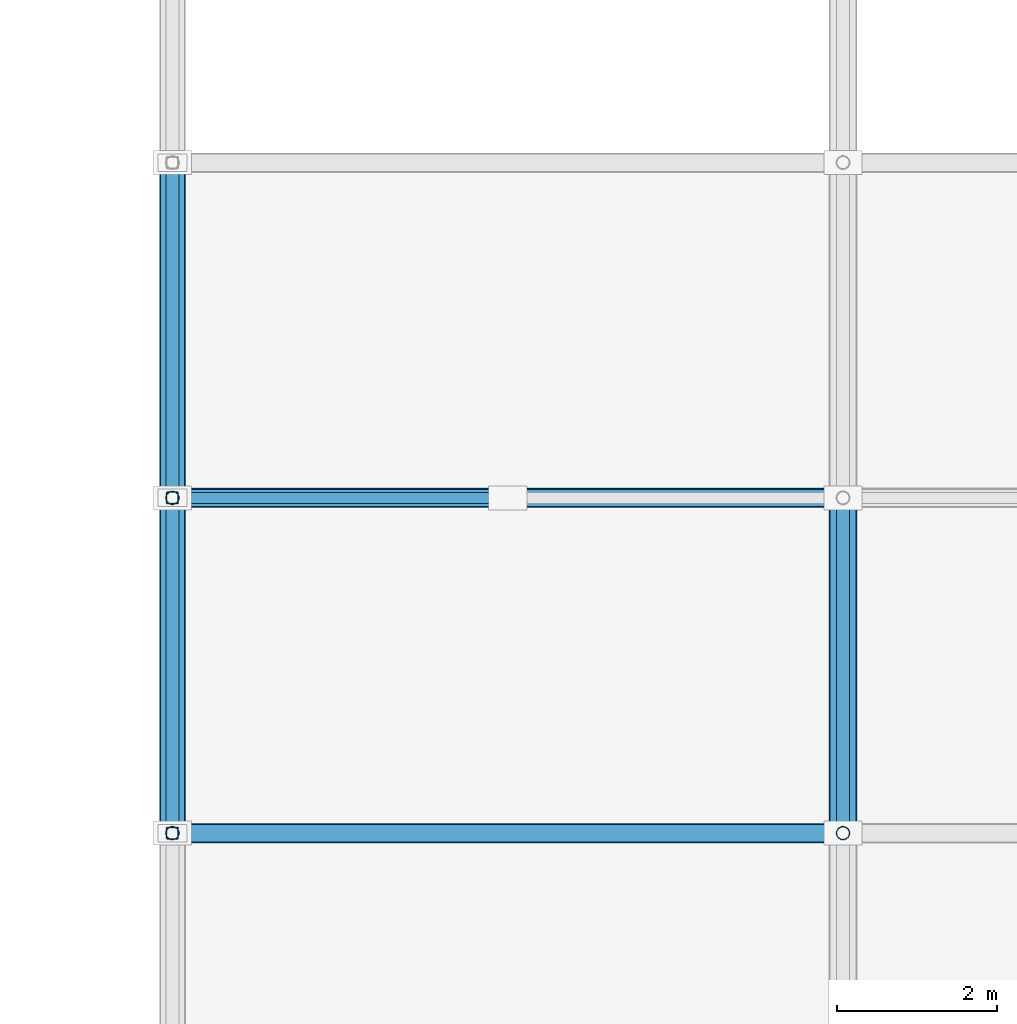
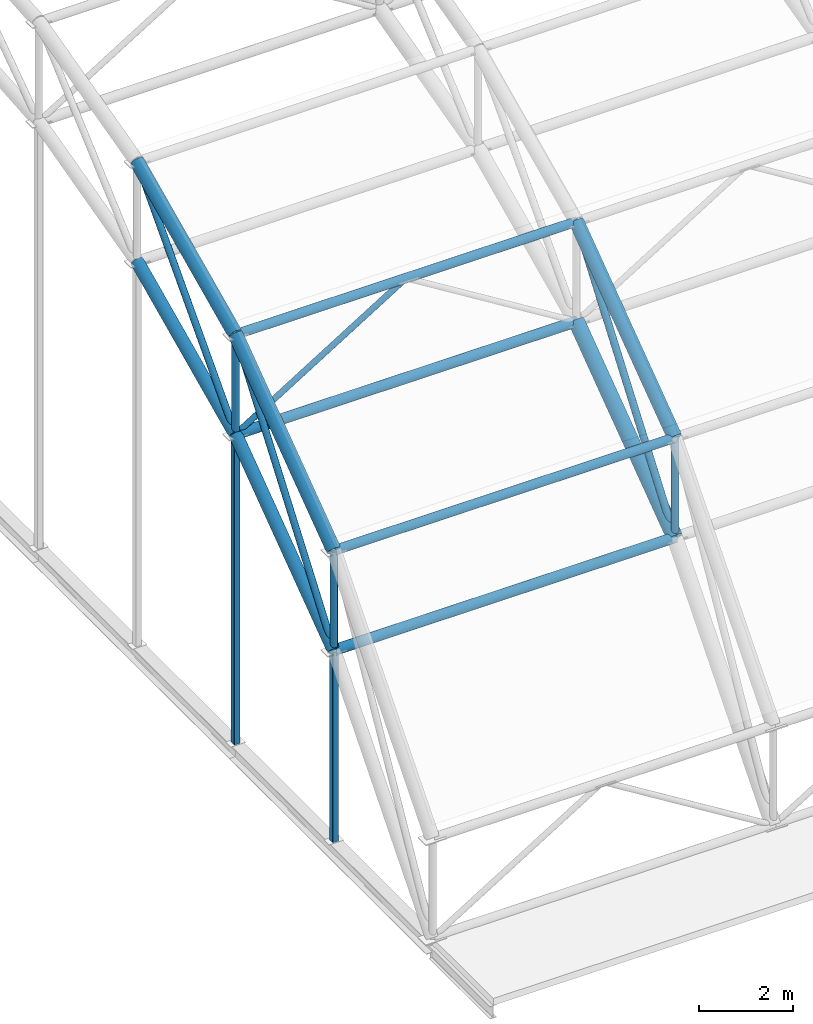
# One storey, part 8 of 103: 13 members, 6 beams.
"""IFC4 building model written with IfcOpenShell, lengths in metres."""

import ifcopenshell
import ifcopenshell.guid

model = None  # the IFC model being written
_history = None  # IfcOwnerHistory: only IFC2X3 demands one
_inside = {}  # id of a spatial element -> (the spatial element, [elements in it])
_under = {}  # id of a project, library or spatial element -> (it, [spatial elements below it])
_declared = {}  # id of a project -> (the project, [libraries it declares])
_typed = {}  # id of a type object -> (the type object, [elements of that type])
_made_of = {}  # id of a material, layer set ... -> (it, [elements and type objects made of it])


def new_model(schema):
    """Start an empty IFC model of exactly this schema.

    Asked for "IFC4X3", IfcOpenShell would pick the latest addendum, in which some entities
    have other attributes; the version numbers below select the first issue.
    IFC2X3 requires an IfcOwnerHistory on every rooted entity: one is made here for all.
    """
    global model, _history
    if schema == "IFC4X3":
        model = ifcopenshell.file(schema_version=(4, 3, 0, 0))
    else:
        model = ifcopenshell.file(schema=schema)
    _inside.clear()
    _under.clear()
    _declared.clear()
    _typed.clear()
    _made_of.clear()
    _history = None
    if model.schema == "IFC2X3":
        org = make("IfcOrganization", Name="unknown")
        user = make(
            "IfcPersonAndOrganization",
            ThePerson=make("IfcPerson", FamilyName="unknown"),
            TheOrganization=org,
        )
        app = make(
            "IfcApplication",
            ApplicationDeveloper=org,
            Version="unknown",
            ApplicationFullName="unknown",
            ApplicationIdentifier="unknown",
        )
        _history = make(
            "IfcOwnerHistory",
            OwningUser=user,
            OwningApplication=app,
            ChangeAction="ADDED",
            CreationDate=0,
        )
    return model


def make(cls, **values):
    """One entity of the class cls with the attributes given. An attribute that is None is left unset."""
    return model.create_entity(
        cls, **{name: value for name, value in values.items() if value is not None}
    )


def rooted(cls, **values):
    """An entity with a GlobalId (a new one), such as an element, a storey or a relation."""
    return make(cls, GlobalId=ifcopenshell.guid.new(), OwnerHistory=_history, **values)


def si_unit(unit_type, name, prefix=None):
    """IfcSIUnit, for example si_unit("LENGTHUNIT", "METRE", prefix="MILLI")."""
    return make("IfcSIUnit", UnitType=unit_type, Prefix=prefix, Name=name)


def assignment(units):
    """IfcUnitAssignment: the units of a project."""
    return None if units is None else make("IfcUnitAssignment", Units=units)


def point(xyz):
    """IfcCartesianPoint."""
    return None if xyz is None else make("IfcCartesianPoint", Coordinates=xyz)


def direction(xyz):
    """IfcDirection."""
    return None if xyz is None else make("IfcDirection", DirectionRatios=xyz)


def frame(location, z_axis=None, x_axis=None):
    """IfcAxis2Placement3D, a coordinate frame: its origin and axes. An axis left out is left unset."""
    return make(
        "IfcAxis2Placement3D",
        Location=point(location),
        Axis=direction(z_axis),
        RefDirection=direction(x_axis),
    )


def frame_2d(location, x_axis=None):
    """IfcAxis2Placement2D, a coordinate frame in the plane: its origin and x axis."""
    return make(
        "IfcAxis2Placement2D", Location=point(location), RefDirection=direction(x_axis)
    )


def origin():
    """The frame at (0, 0, 0) with its axes left unset."""
    return frame((0.0, 0.0, 0.0))


def origin_2d():
    """The frame at (0, 0) in the plane with its x axis left unset."""
    return frame_2d((0.0, 0.0))


def place(relative_to, where):
    """IfcLocalPlacement: puts the frame where relative to a parent placement (None: the world)."""
    return make(
        "IfcLocalPlacement", PlacementRelTo=relative_to, RelativePlacement=where
    )


def context(
    kind, dimensions, precision=None, world=None, true_north=None, identifier=None
):
    """IfcGeometricRepresentationContext, for example the 3D "Model" context."""
    return make(
        "IfcGeometricRepresentationContext",
        ContextIdentifier=identifier,
        ContextType=kind,
        CoordinateSpaceDimension=dimensions,
        Precision=precision,
        WorldCoordinateSystem=world,
        TrueNorth=true_north,
    )


def subcontext(parent, identifier, kind, view, scale=None):
    """IfcGeometricRepresentationSubContext, for example "Body" below "Model"."""
    return make(
        "IfcGeometricRepresentationSubContext",
        ContextIdentifier=identifier,
        ContextType=kind,
        ParentContext=parent,
        TargetScale=scale,
        TargetView=view,
    )


def project(units=None, contexts=None):
    """IfcProject with its units and contexts."""
    return rooted(
        "IfcProject",
        Name="project",
        RepresentationContexts=contexts,
        UnitsInContext=assignment(units),
    )


def spatial(cls, under=None, at=None, **own):
    """A site, building, storey or space (cls), placed at a placement, below another one or the project."""
    s = rooted(cls, ObjectPlacement=at, **own)
    if under is not None:
        _under.setdefault(under.id(), (under, []))[1].append(s)
    return s


def profile(cls, at=None, kind="AREA", **sizes):
    """A parametric profile (cls). Its sizes go by their IFC names, for example OverallWidth=200.0."""
    return make(cls, ProfileType=kind, Position=at, **sizes)


def hollow_rectangle(**sizes):
    """IfcRectangleHollowProfileDef."""
    return profile("IfcRectangleHollowProfileDef", **sizes)


def hollow_circle(**sizes):
    """IfcCircleHollowProfileDef."""
    return profile("IfcCircleHollowProfileDef", **sizes)


def extrude(swept, where, along, depth):
    """IfcExtrudedAreaSolid: the profile swept, set in the frame where, extruded along a direction by depth."""
    return make(
        "IfcExtrudedAreaSolid",
        SweptArea=swept,
        Position=where,
        ExtrudedDirection=direction(along),
        Depth=depth,
    )


def shape(context_of_items, identifier, shape_type, items):
    """IfcShapeRepresentation: the items that make up one representation, for example the "Body"."""
    return make(
        "IfcShapeRepresentation",
        ContextOfItems=context_of_items,
        RepresentationIdentifier=identifier,
        RepresentationType=shape_type,
        Items=items,
    )


def material(Name=None, Category=None):
    """IfcMaterial."""
    return make("IfcMaterial", Name=Name, Category=Category)


def material_profile(
    of_material, cross_section, Name=None, Category=None, Priority=None
):
    """IfcMaterialProfile: a cross section and its material."""
    return make(
        "IfcMaterialProfile",
        Name=Name,
        Material=of_material,
        Profile=cross_section,
        Priority=Priority,
        Category=Category,
    )


def profile_set(profiles, Name=None, composite=None):
    """IfcMaterialProfileSet."""
    return make(
        "IfcMaterialProfileSet",
        Name=Name,
        MaterialProfiles=profiles,
        CompositeProfile=composite,
    )


def made_of(thing, what):
    """Note that an element or type object is made of a material, layer set ...; save() writes the relation."""
    if what is not None:
        _made_of.setdefault(what.id(), (what, []))[1].append(thing)
    return thing


def type_object(cls, material=None, **own):
    """A type object (cls), such as IfcWallType, which elements share."""
    return made_of(rooted(cls, **own), material)


def element(
    cls,
    number,
    at=None,
    inside=None,
    cuts=None,
    type_object=None,
    material=None,
    context=None,
    identifier="Body",
    shape_type=None,
    held_by="IfcProductDefinitionShape",
    body=None,
    shapes=None,
    **own,
):
    """One element of the class cls, such as IfcWall. Its Tag is "e" and its number.

    at: its placement. inside: the storey or other place that contains it. cuts: it is an
    opening in that element (IfcRelVoidsElement). A single representation is given by context,
    identifier, shape_type and body (its items); several are given by shapes. held_by: the class
    of the entity that holds the representations. save() writes the other relations.
    """
    e = rooted(cls, Tag="e%d" % number, ObjectPlacement=at, **own)
    if body is not None:
        shapes = [shape(context, identifier, shape_type, body)]
    if shapes is not None:
        e.Representation = make(held_by, Representations=shapes)
    if inside is not None:
        _inside.setdefault(inside.id(), (inside, []))[1].append(e)
    if cuts is not None:
        rooted(
            "IfcRelVoidsElement", RelatingBuildingElement=cuts, RelatedOpeningElement=e
        )
    if type_object is not None:
        _typed.setdefault(type_object.id(), (type_object, []))[1].append(e)
    return made_of(e, material)


def aggregate(whole, parts):
    """IfcRelAggregates: a whole, such as a stair, and the parts it consists of."""
    return rooted("IfcRelAggregates", RelatingObject=whole, RelatedObjects=parts)


def save(model, path):
    """Write the relations noted so far, then the file.

    IfcRelAggregates (storeys below a building ...), IfcRelContainedInSpatialStructure (elements
    in a storey), IfcRelDefinesByType, IfcRelAssociatesMaterial and IfcRelDeclares: one each for
    every whole, place, type object, material and project.
    """
    for whole, parts in _under.values():
        aggregate(whole, parts)
    for where, things in _inside.values():
        rooted(
            "IfcRelContainedInSpatialStructure",
            RelatedElements=things,
            RelatingStructure=where,
        )
    for kind, things in _typed.values():
        rooted("IfcRelDefinesByType", RelatedObjects=things, RelatingType=kind)
    for what, things in _made_of.values():
        rooted("IfcRelAssociatesMaterial", RelatedObjects=things, RelatingMaterial=what)
    for by, libraries in _declared.values():
        rooted("IfcRelDeclares", RelatingContext=by, RelatedDefinitions=libraries)
    model.write(path)


model = new_model("IFC4")

# Units and contexts
model_context = context("Model", 3, precision=1e-05, world=origin(), true_north=direction((0.0, 1.0)))
body_context = subcontext(model_context, "Body", "Model", "MODEL_VIEW")
ifc_project = project(units=[si_unit("LENGTHUNIT", "METRE"), si_unit("AREAUNIT", "SQUARE_METRE"), si_unit("VOLUMEUNIT", "CUBIC_METRE"), si_unit("PLANEANGLEUNIT", "RADIAN"), si_unit("MASSUNIT", "GRAM", prefix="KILO")], contexts=[model_context])

# Site, building, storey
site_placement = place(None, origin())
site = spatial("IfcSite", under=ifc_project, at=site_placement, CompositionType="ELEMENT")
building_placement = place(site_placement, origin())
building = spatial("IfcBuilding", under=site, at=building_placement, Name="Varnapada Polytechnic", CompositionType="ELEMENT")
storey_placement = place(building_placement, frame((0.0, 0.0, 18.0)))
storey = spatial("IfcBuildingStorey", under=building, at=storey_placement, Name="L04", CompositionType="ELEMENT", Elevation=18.0)

# Members
ifc_material = material(Name="Steel S355", Category="steel")
ifc_material_profile_1 = material_profile(ifc_material, hollow_rectangle(XDim=0.14990234375, YDim=0.14990234375, WallThickness=0.00634765625, InnerFilletRadius=0.006103515625, OuterFilletRadius=0.011962890625, at=origin_2d()), Name="SHS 150x150x6.3")
ifc_profile_set_1 = profile_set([ifc_material_profile_1], Name="Steel S355")
member_type_1 = type_object("IfcMemberType", Name="Sawtooth north-light mullion post SFP-02 (SHS 150x150x6.3)", PredefinedType="POST", material=ifc_profile_set_1)
member_1_placement = place(storey_placement, frame((50.39990234375, 88.199951171875, 0.0), z_axis=(0.0, 0.0, 1.0), x_axis=(1.0, 0.0, 0.0)))
element("IfcMember", 1, at=member_1_placement, inside=storey, type_object=member_type_1, Name="Workshop arch tympanum mullion W.1", PredefinedType="POST", context=body_context, shape_type="SweptSolid", body=[
    extrude(hollow_rectangle(XDim=0.14990234375, YDim=0.14990234375, WallThickness=0.00634765625, InnerFilletRadius=0.006103515625, OuterFilletRadius=0.011962890625, at=origin_2d()), origin(), (0.0, 0.0, 1.0), 4.94921875),
])
member_2_placement = place(storey_placement, frame((50.39990234375, 92.39990234375, 0.0), z_axis=(0.0, 0.0, 1.0), x_axis=(1.0, 0.0, 0.0)))
element("IfcMember", 2, at=member_2_placement, inside=storey, type_object=member_type_1, Name="Workshop arch tympanum mullion W.2", PredefinedType="POST", context=body_context, shape_type="SweptSolid", body=[
    extrude(hollow_rectangle(XDim=0.14990234375, YDim=0.14990234375, WallThickness=0.00634765625, InnerFilletRadius=0.006103515625, OuterFilletRadius=0.011962890625, at=origin_2d()), origin(), (0.0, 0.0, 1.0), 8.02783203125),
])

# Beams
ifc_material_profile_2 = material_profile(ifc_material, hollow_circle(Radius=0.149169921875, WallThickness=0.010009765625, at=origin_2d()), Name="CHS 298.5x10.0")
ifc_profile_set_2 = profile_set([ifc_material_profile_2], Name="Steel S355")
beam_type_1 = type_object("IfcBeamType", Name="Space frame end-bay arch rib VA-04 (CHS 298.5x10.0)", PredefinedType="BEAM", material=ifc_profile_set_2)
beam_1_placement = place(storey_placement, frame((50.39990234375, 88.199951171875, 4.94921875), z_axis=(0.0, 0.806528689778, 0.591194953095), x_axis=(-1.0, 0.0, 0.0)))
element("IfcBeam", 3, at=beam_1_placement, inside=storey, type_object=beam_type_1, Name="Vaulted space frame bottom arch chord 1.2", PredefinedType="BEAM", context=body_context, shape_type="SweptSolid", body=[
    extrude(hollow_circle(Radius=0.149169921875, WallThickness=0.010009765625, at=origin_2d()), origin(), (0.0, 0.0, 1.0), 5.20751953125),
])
beam_2_placement = place(storey_placement, frame((50.39990234375, 92.39990234375, 8.02783203125), z_axis=(0.0, 0.906677989805, 0.421823449802), x_axis=(-1.0, 0.0, 0.0)))
element("IfcBeam", 4, at=beam_2_placement, inside=storey, type_object=beam_type_1, Name="Vaulted space frame bottom arch chord 1.3", PredefinedType="BEAM", context=body_context, shape_type="SweptSolid", body=[
    extrude(hollow_circle(Radius=0.149169921875, WallThickness=0.010009765625, at=origin_2d()), origin(), (0.0, 0.0, 1.0), 4.632568359375),
])

# Members
ifc_material_profile_3 = material_profile(ifc_material, hollow_circle(Radius=0.07958984375, WallThickness=0.00634765625, at=origin_2d()), Name="CHS 159.0x6.3")
ifc_profile_set_3 = profile_set([ifc_material_profile_3], Name="Steel S355")
member_type_2 = type_object("IfcMemberType", Name="Space frame perimeter web diagonal SFB-03 (CHS 159.0x6.3)", PredefinedType="BRACE", material=ifc_profile_set_3)
member_3_placement = place(storey_placement, frame((50.39990234375, 88.199951171875, 4.94921875), z_axis=(0.0, 0.594633036041, 0.803997234105), x_axis=(-1.0, 0.0, 0.0)))
element("IfcMember", 5, at=member_3_placement, inside=storey, type_object=member_type_2, Name="Vaulted space frame web diagonal 1.2", PredefinedType="BRACE", context=body_context, shape_type="SweptSolid", body=[
    extrude(hollow_circle(Radius=0.07958984375, WallThickness=0.00634765625, at=origin_2d()), origin(), (0.0, 0.0, 1.0), 7.06298828125),
])
member_4_placement = place(storey_placement, frame((50.39990234375, 92.39990234375, 8.02783203125), z_axis=(0.0, 0.677978881407, 0.735081380777), x_axis=(-1.0, 0.0, 0.0)))
element("IfcMember", 6, at=member_4_placement, inside=storey, type_object=member_type_2, Name="Vaulted space frame web diagonal 1.3", PredefinedType="BRACE", context=body_context, shape_type="SweptSolid", body=[
    extrude(hollow_circle(Radius=0.07958984375, WallThickness=0.00634765625, at=origin_2d()), origin(), (0.0, 0.0, 1.0), 6.195068359375),
])
ifc_material_profile_4 = material_profile(ifc_material, hollow_circle(Radius=0.122314453125, WallThickness=0.008056640625, at=origin_2d()), Name="CHS 244.5x8.0")
ifc_profile_set_4 = profile_set([ifc_material_profile_4], Name="Steel S355")
member_type_3 = type_object("IfcMemberType", Name="Vaulted space frame longitudinal bottom chord SFC-01 (CHS 244.5x8.0)", PredefinedType="CHORD", material=ifc_profile_set_4)
for number, where, z_axis, x_axis, name in (
    (7, (50.39990234375, 88.199951171875, 4.94921875), (1.0, 0.0, 0.0), (0.0, 1.0, 0.0), "Vaulted space frame longitudinal bottom chord 1.2"),
    (8, (50.39990234375, 92.39990234375, 8.02783203125), (1.0, 0.0, 0.0), (0.0, 1.0, 0.0), "Vaulted space frame longitudinal bottom chord 1.3"),
):
    element("IfcMember", number, at=place(storey_placement, frame(where, z_axis=z_axis, x_axis=x_axis)), inside=storey, type_object=member_type_3, Name=name, PredefinedType="CHORD", context=body_context, shape_type="SweptSolid", body=[
        extrude(hollow_circle(Radius=0.122314453125, WallThickness=0.008056640625, at=origin_2d()), origin(), (0.0, 0.0, 1.0), 8.400146484375),
    ])
ifc_material_profile_5 = material_profile(ifc_material, hollow_circle(Radius=0.109619140625, WallThickness=0.008056640625, at=origin_2d()), Name="CHS 219.1x8.0")
ifc_profile_set_5 = profile_set([ifc_material_profile_5], Name="Steel S355")
member_type_4 = type_object("IfcMemberType", Name="Vaulted space frame longitudinal top chord SFC-02 (CHS 219.1x8.0)", PredefinedType="CHORD", material=ifc_profile_set_5)
for number, where, z_axis, x_axis, name in (
    (9, (50.39990234375, 88.199951171875, 7.549072265625), (1.0, 0.0, 0.0), (0.0, 1.0, 0.0), "Vaulted space frame longitudinal top chord 1.2"),
    (10, (50.39990234375, 92.39990234375, 10.6279296875), (1.0, 0.0, 0.0), (0.0, 1.0, 0.0), "Vaulted space frame longitudinal top chord 1.3"),
):
    element("IfcMember", number, at=place(storey_placement, frame(where, z_axis=z_axis, x_axis=x_axis)), inside=storey, type_object=member_type_4, Name=name, PredefinedType="CHORD", context=body_context, shape_type="SweptSolid", body=[
        extrude(hollow_circle(Radius=0.109619140625, WallThickness=0.008056640625, at=origin_2d()), origin(), (0.0, 0.0, 1.0), 8.400146484375),
    ])

# Beam
ifc_material_profile_6 = material_profile(ifc_material, hollow_circle(Radius=0.177734375, WallThickness=0.012451171875, at=origin_2d()), Name="CHS 355.6x12.5")
ifc_profile_set_6 = profile_set([ifc_material_profile_6], Name="Steel S355")
beam_type_2 = type_object("IfcBeamType", Name="Vaulted space frame primary arch rib VA-01 (CHS 355.6x12.5)", PredefinedType="BEAM", material=ifc_profile_set_6)
beam_3_placement = place(storey_placement, frame((58.800048828125, 88.199951171875, 4.94921875), z_axis=(0.0, 0.806528689778, 0.591194953095), x_axis=(-1.0, 0.0, 0.0)))
element("IfcBeam", 11, at=beam_3_placement, inside=storey, type_object=beam_type_2, Name="Vaulted space frame bottom arch chord 2.2", PredefinedType="BEAM", context=body_context, shape_type="SweptSolid", body=[
    extrude(hollow_circle(Radius=0.177734375, WallThickness=0.012451171875, at=origin_2d()), origin(), (0.0, 0.0, 1.0), 5.20751953125),
])

# Members
ifc_material_profile_7 = material_profile(ifc_material, hollow_circle(Radius=0.084228515625, WallThickness=0.00634765625, at=origin_2d()), Name="CHS 168.3x6.3")
ifc_profile_set_7 = profile_set([ifc_material_profile_7], Name="Steel S355")
member_type_5 = type_object("IfcMemberType", Name="Vaulted space frame primary web diagonal SFB-01 (CHS 168.3x6.3)", PredefinedType="BRACE", material=ifc_profile_set_7)
member_5_placement = place(storey_placement, frame((58.800048828125, 88.199951171875, 4.94921875), z_axis=(0.0, 0.594633036041, 0.803997234105), x_axis=(-1.0, 0.0, 0.0)))
element("IfcMember", 12, at=member_5_placement, inside=storey, type_object=member_type_5, Name="Vaulted space frame web diagonal 2.2", PredefinedType="BRACE", context=body_context, shape_type="SweptSolid", body=[
    extrude(hollow_circle(Radius=0.084228515625, WallThickness=0.00634765625, at=origin_2d()), origin(), (0.0, 0.0, 1.0), 7.06298828125),
])
ifc_material_profile_8 = material_profile(ifc_material, hollow_circle(Radius=0.084228515625, WallThickness=0.00634765625, at=origin_2d()), Name="CHS 168.3x6.3")
ifc_profile_set_8 = profile_set([ifc_material_profile_8], Name="Steel S355")
member_type_6 = type_object("IfcMemberType", Name="Vaulted space frame radial web strut SFS-01 (CHS 168.3x6.3)", PredefinedType="STRUT", material=ifc_profile_set_8)
member_6_placement = place(storey_placement, frame((50.39990234375, 88.199951171875, 4.94921875), z_axis=(0.0, 0.0, 1.0), x_axis=(1.0, 0.0, 0.0)))
element("IfcMember", 13, at=member_6_placement, inside=storey, type_object=member_type_6, Name="Vaulted space frame strut 1.2", PredefinedType="STRUT", context=body_context, shape_type="SweptSolid", body=[
    extrude(hollow_circle(Radius=0.084228515625, WallThickness=0.00634765625, at=origin_2d()), origin(), (0.0, 0.0, 1.0), 2.599853515625),
])
member_7_placement = place(storey_placement, frame((50.39990234375, 92.39990234375, 8.02783203125), z_axis=(0.0, 0.0, 1.0), x_axis=(1.0, 0.0, 0.0)))
element("IfcMember", 14, at=member_7_placement, inside=storey, type_object=member_type_6, Name="Vaulted space frame strut 1.3", PredefinedType="STRUT", context=body_context, shape_type="SweptSolid", body=[
    extrude(hollow_circle(Radius=0.084228515625, WallThickness=0.00634765625, at=origin_2d()), origin(), (0.0, 0.0, 1.0), 2.60009765625),
])
member_8_placement = place(storey_placement, frame((58.800048828125, 88.199951171875, 4.94921875), z_axis=(0.0, 0.0, 1.0), x_axis=(1.0, 0.0, 0.0)))
element("IfcMember", 15, at=member_8_placement, inside=storey, type_object=member_type_6, Name="Vaulted space frame strut 2.2", PredefinedType="STRUT", context=body_context, shape_type="SweptSolid", body=[
    extrude(hollow_circle(Radius=0.084228515625, WallThickness=0.00634765625, at=origin_2d()), origin(), (0.0, 0.0, 1.0), 2.599853515625),
])
ifc_material_profile_9 = material_profile(ifc_material, hollow_circle(Radius=0.06982421875, WallThickness=0.0048828125, at=origin_2d()), Name="CHS 139.7x5.0")
ifc_profile_set_9 = profile_set([ifc_material_profile_9], Name="Steel S355")
member_type_7 = type_object("IfcMemberType", Name="Vaulted space frame secondary web diagonal SFB-02 (CHS 139.7x5.0)", PredefinedType="BRACE", material=ifc_profile_set_9)
member_9_placement = place(storey_placement, frame((50.39990234375, 92.39990234375, 8.02783203125), z_axis=(0.85026725322, 0.0, 0.526351211741), x_axis=(0.0, 1.0, 0.0)))
element("IfcMember", 16, at=member_9_placement, inside=storey, type_object=member_type_7, Name="Vaulted space frame longitudinal brace 1.3A", PredefinedType="BRACE", context=body_context, shape_type="SweptSolid", body=[
    extrude(hollow_circle(Radius=0.06982421875, WallThickness=0.0048828125, at=origin_2d()), origin(), (0.0, 0.0, 1.0), 4.93994140625),
])

# Beams
ifc_material_profile_10 = material_profile(ifc_material, hollow_circle(Radius=0.161865234375, WallThickness=0.010009765625, at=origin_2d()), Name="CHS 323.9x10.0")
ifc_profile_set_10 = profile_set([ifc_material_profile_10], Name="Steel S355")
beam_type_3 = type_object("IfcBeamType", Name="Vaulted space frame upper arch rib VA-02 (CHS 323.9x10.0)", PredefinedType="BEAM", material=ifc_profile_set_10)
beam_4_placement = place(storey_placement, frame((50.39990234375, 88.199951171875, 7.549072265625), z_axis=(0.0, 0.806506335259, 0.591225448698), x_axis=(-1.0, 0.0, 0.0)))
element("IfcBeam", 17, at=beam_4_placement, inside=storey, type_object=beam_type_3, Name="Vaulted space frame top arch chord 1.2", PredefinedType="BEAM", context=body_context, shape_type="SweptSolid", body=[
    extrude(hollow_circle(Radius=0.161865234375, WallThickness=0.010009765625, at=origin_2d()), origin(), (0.0, 0.0, 1.0), 5.20751953125),
])
beam_5_placement = place(storey_placement, frame((50.39990234375, 92.39990234375, 10.6279296875), z_axis=(0.0, 0.906698145361, 0.421780124234), x_axis=(-1.0, 0.0, 0.0)))
element("IfcBeam", 18, at=beam_5_placement, inside=storey, type_object=beam_type_3, Name="Vaulted space frame top arch chord 1.3", PredefinedType="BEAM", context=body_context, shape_type="SweptSolid", body=[
    extrude(hollow_circle(Radius=0.161865234375, WallThickness=0.010009765625, at=origin_2d()), origin(), (0.0, 0.0, 1.0), 4.63232421875),
])
beam_6_placement = place(storey_placement, frame((58.800048828125, 88.199951171875, 7.549072265625), z_axis=(0.0, 0.806506335259, 0.591225448698), x_axis=(-1.0, 0.0, 0.0)))
element("IfcBeam", 19, at=beam_6_placement, inside=storey, type_object=beam_type_3, Name="Vaulted space frame top arch chord 2.2", PredefinedType="BEAM", context=body_context, shape_type="SweptSolid", body=[
    extrude(hollow_circle(Radius=0.161865234375, WallThickness=0.010009765625, at=origin_2d()), origin(), (0.0, 0.0, 1.0), 5.20751953125),
])

save(model, "model.ifc")
